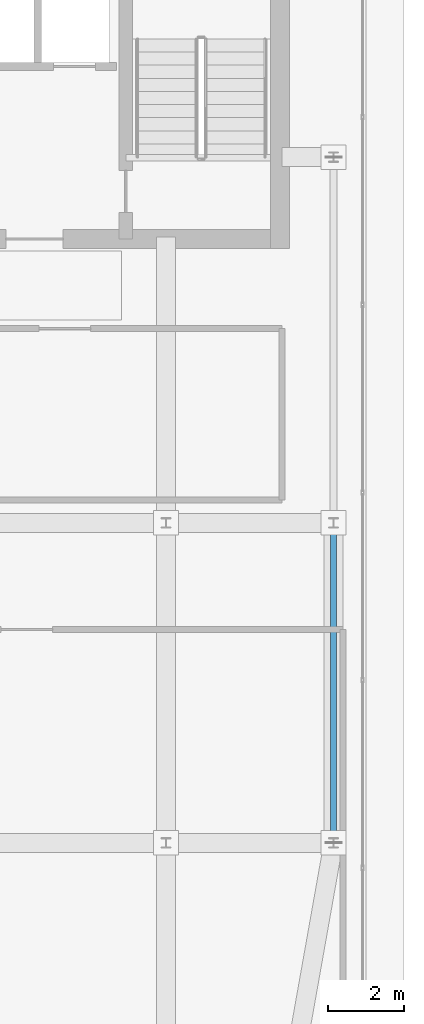
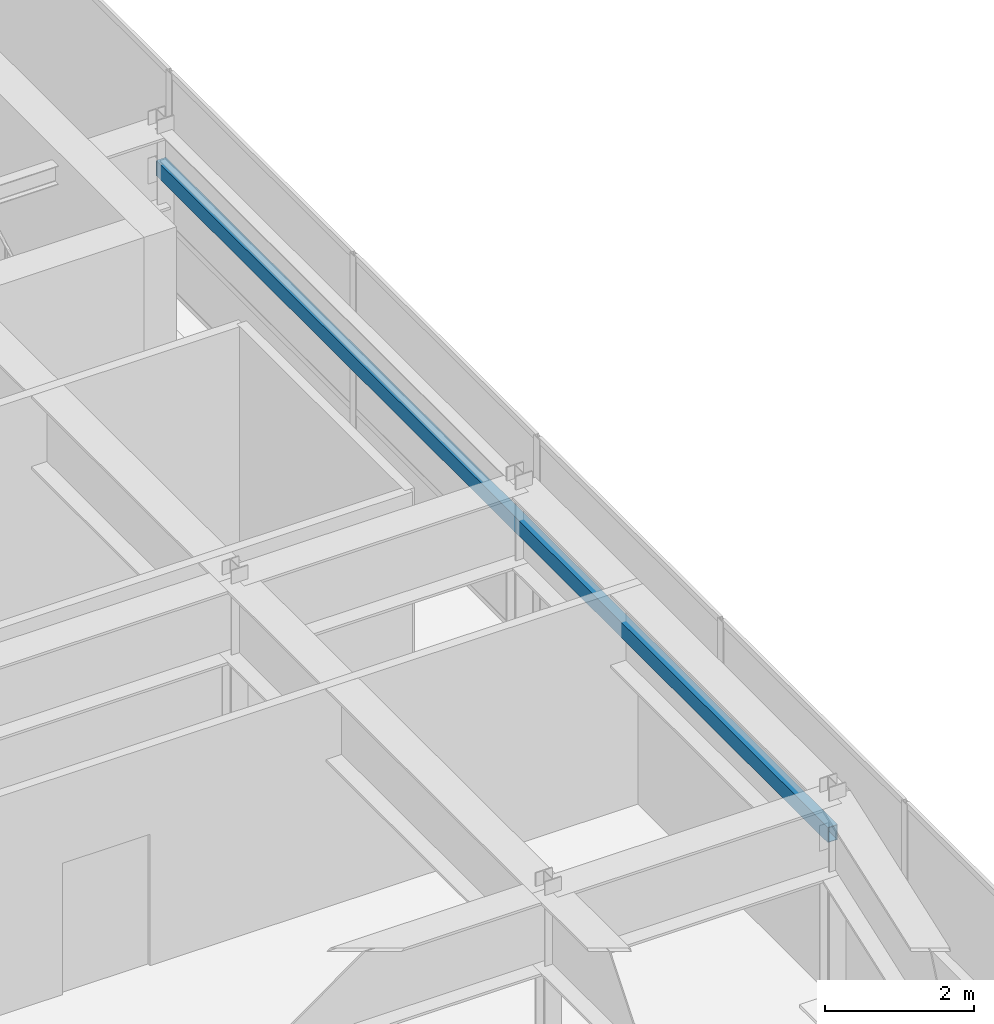
# One storey, part 21 of 35: 1 member.
"""IFC4 building model written with IfcOpenShell, lengths in metres."""

from ifc_helpers import new_model, si_unit, direction, frame, origin, origin_2d, place, context, subcontext, project, spatial, hollow_rectangle, extrude, source, transform, mapped, material, material_profile, profile_set, type_object, type_shapes, element, save


model = new_model("IFC4")

# Units and contexts
model_context = context("Model", 3, precision=1e-05, world=origin(), true_north=direction((0.0, 1.0)))
body_context = subcontext(model_context, "Body", "Model", "MODEL_VIEW")
ifc_project = project(units=[si_unit("LENGTHUNIT", "METRE"), si_unit("AREAUNIT", "SQUARE_METRE"), si_unit("VOLUMEUNIT", "CUBIC_METRE"), si_unit("PLANEANGLEUNIT", "RADIAN"), si_unit("MASSUNIT", "GRAM", prefix="KILO")], contexts=[model_context])

# Site, building, storey
site_placement = place(None, origin())
site = spatial("IfcSite", under=ifc_project, at=site_placement, CompositionType="ELEMENT")
building_placement = place(site_placement, origin())
building = spatial("IfcBuilding", under=site, at=building_placement, Name="Tolvann Quenvar Hotel", CompositionType="ELEMENT")
storey_placement = place(building_placement, frame((0.0, 0.0, 290.949951171875)))
storey = spatial("IfcBuildingStorey", under=building, at=storey_placement, Name="L77", CompositionType="ELEMENT", Elevation=290.949951171875)

# Member
ifc_material = material(Name="Steel Grade 450 (C450L0)", Category="steel")
ifc_material_profile = material_profile(ifc_material, hollow_rectangle(XDim=0.14990234375, YDim=0.25, WallThickness=0.009033203125, at=origin_2d()), Name="250x150x9RHS")
ifc_profile_set = profile_set([ifc_material_profile], Name="Steel Grade 450 (C450L0)")
member_type = type_object("IfcMemberType", Name="MEM_CROWN_250RHS", PredefinedType="USERDEFINED", material=ifc_profile_set)
shared_shape = source(origin(), body_context, "Body", "SweptSolid", [
    extrude(hollow_rectangle(XDim=0.14990234375, YDim=0.25, WallThickness=0.009033203125, at=origin_2d()), origin(), (0.0, 0.0, 1.0), 18.0),
])
type_shapes(member_type, [shared_shape])
member_placement = place(storey_placement, frame((37.14990234375, 16.0, 2.929931640625), z_axis=(0.0, 1.0, 0.0), x_axis=(-1.0, 0.0, 0.0)))
element("IfcMember", 1, at=member_placement, inside=storey, type_object=member_type, Name="Crown Frame Ring Member (L77-3)", ObjectType="CROWN FRAME", PredefinedType="USERDEFINED", context=body_context, shape_type="MappedRepresentation", body=[
    mapped(shared_shape, transform((0.0, 0.0, 0.0), x_axis=(1.0, 0.0, 0.0), y_axis=(0.0, 1.0, 0.0), z_axis=(0.0, 0.0, 1.0), scale=1.0)),
])

save(model, "model.ifc")
